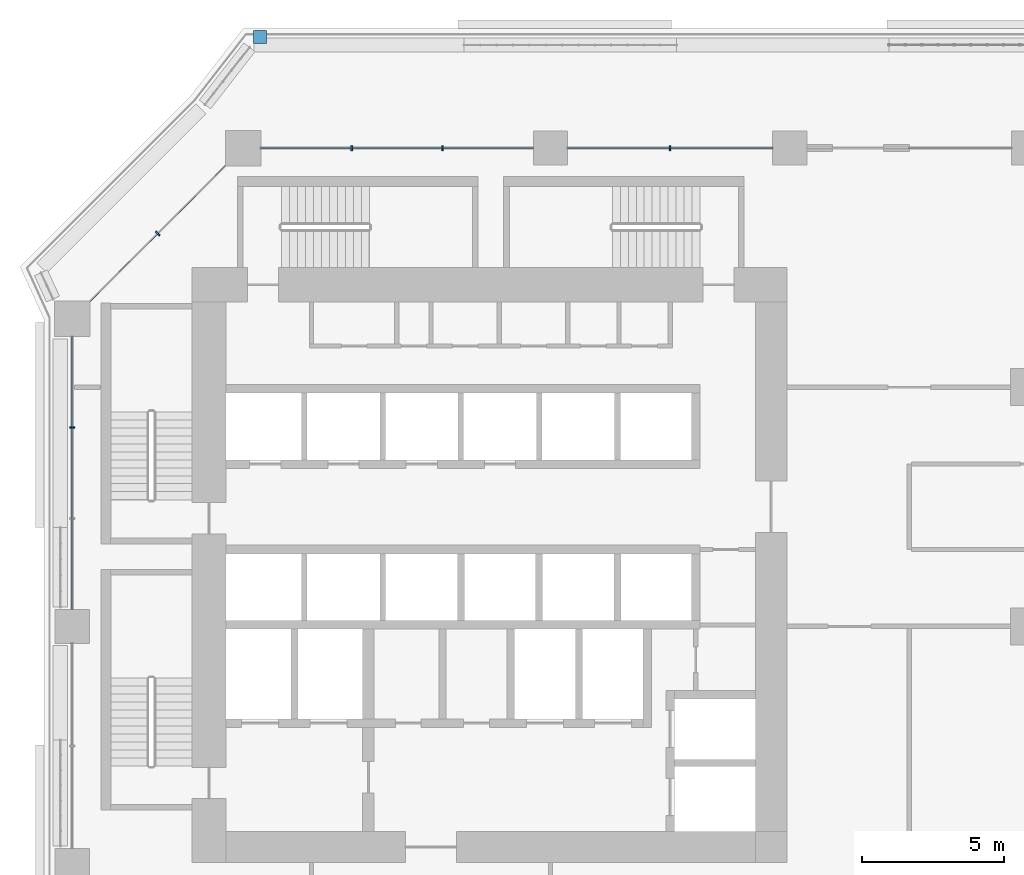
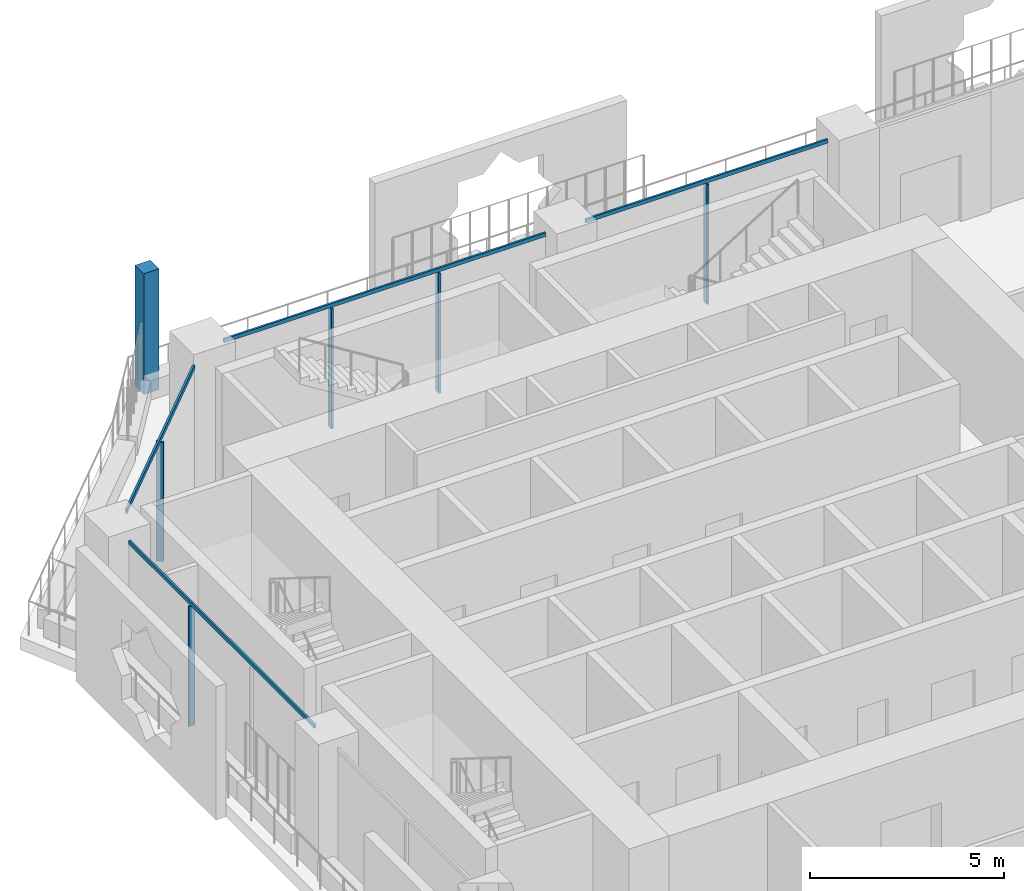
# One storey, part 8 of 28: 10 members, 4 elements without a shape of their own.
"""IFC4 building model written with IfcOpenShell, lengths in metres."""

from ifc_helpers import new_model, si_unit, direction, frame, origin, origin_2d, place, context, subcontext, project, spatial, rectangle, extrude, material, layer, layer_set, material_profile, profile_set, type_object, element, aggregate, save


model = new_model("IFC4")

# Units and contexts
model_context = context("Model", 3, precision=1e-05, world=origin(), true_north=direction((0.0, 1.0)))
body_context = subcontext(model_context, "Body", "Model", "MODEL_VIEW")
ifc_project = project(units=[si_unit("LENGTHUNIT", "METRE"), si_unit("AREAUNIT", "SQUARE_METRE"), si_unit("VOLUMEUNIT", "CUBIC_METRE"), si_unit("PLANEANGLEUNIT", "RADIAN"), si_unit("MASSUNIT", "GRAM", prefix="KILO")], contexts=[model_context])

# Site, building, storey
site_placement = place(None, origin())
site = spatial("IfcSite", under=ifc_project, at=site_placement, CompositionType="ELEMENT")
building_placement = place(site_placement, origin())
building = spatial("IfcBuilding", under=site, at=building_placement, Name="Kawkab Arch Medical Tower", CompositionType="ELEMENT")
storey_placement = place(building_placement, frame((0.0, 0.0, 68.60009765625)))
storey = spatial("IfcBuildingStorey", under=building, at=storey_placement, Name="L15", CompositionType="ELEMENT", Elevation=68.60009765625)

# Curtain wall, member
ifc_material_1 = material(Name="Bronze anodised aluminium curtain wall frame", Category="aluminium")
ifc_layer_1 = layer(ifc_material_1, 0.159912109375)
ifc_layer_set_1 = layer_set([ifc_layer_1], Name="Bronze anodised aluminium curtain wall frame")
curtain_wall_type_1 = type_object("IfcCurtainWallType", Name="CW1 ward curtain wall", PredefinedType="NOTDEFINED", material=ifc_layer_set_1)
placement = place(storey_placement, origin())
curtain_wall_1 = element("IfcCurtainWall", 1, at=placement, inside=storey, type_object=curtain_wall_type_1, Name="CW1 Ward curtain wall R01", PredefinedType="NOTDEFINED")
ifc_material_2 = material(Name="Bronze anodised aluminium curtain wall frame", Category="aluminium")
ifc_material_profile_1 = material_profile(ifc_material_2, rectangle(XDim=0.179931640625, YDim=0.06005859375, at=origin_2d()), Name="AL 60x180")
ifc_profile_set_1 = profile_set([ifc_material_profile_1], Name="Bronze anodised aluminium curtain wall frame")
member_type_1 = type_object("IfcMemberType", Name="CW1 mullion 60 x 180", PredefinedType="MULLION", material=ifc_profile_set_1)
member_1_placement = place(storey_placement, frame((0.0, -9.816650390625, 0.0), z_axis=(0.0, 0.0, 1.0), x_axis=(1.0, 0.0, 0.0)))
member_1 = element("IfcMember", 2, at=member_1_placement, type_object=member_type_1, Name="CW1 mullion 1.1", PredefinedType="MULLION", context=body_context, shape_type="SweptSolid", body=[
    extrude(rectangle(XDim=0.179931640625, YDim=0.06005859375, at=origin_2d()), origin(), (0.0, 0.0, 1.0), 3.77978515625),
])

# Curtain wall, members
curtain_wall_2 = element("IfcCurtainWall", 3, at=placement, inside=storey, type_object=curtain_wall_type_1, Name="CW1 Ward curtain wall R11", PredefinedType="NOTDEFINED")
member_2_placement = place(storey_placement, frame((21.0, 0.0, 0.0), z_axis=(0.0, 0.0, 1.0), x_axis=(0.0, -1.0, 0.0)))
member_2 = element("IfcMember", 4, at=member_2_placement, type_object=member_type_1, Name="CW1 mullion 7.1", PredefinedType="MULLION", context=body_context, shape_type="SweptSolid", body=[
    extrude(rectangle(XDim=0.179931640625, YDim=0.06005859375, at=origin_2d()), origin(), (0.0, 0.0, 1.0), 3.77978515625),
])
member_3_placement = place(storey_placement, frame((13.00830078125, 0.0, 0.0), z_axis=(0.0, 0.0, 1.0), x_axis=(0.0, -1.0, 0.0)))
member_3 = element("IfcMember", 5, at=member_3_placement, type_object=member_type_1, Name="CW1 mullion 8.1", PredefinedType="MULLION", context=body_context, shape_type="SweptSolid", body=[
    extrude(rectangle(XDim=0.179931640625, YDim=0.06005859375, at=origin_2d()), origin(), (0.0, 0.0, 1.0), 3.77978515625),
])
member_4_placement = place(storey_placement, frame((9.816650390625, 0.0, 0.0), z_axis=(0.0, 0.0, 1.0), x_axis=(0.0, -1.0, 0.0)))
member_4 = element("IfcMember", 6, at=member_4_placement, type_object=member_type_1, Name="CW1 mullion 8.2", PredefinedType="MULLION", context=body_context, shape_type="SweptSolid", body=[
    extrude(rectangle(XDim=0.179931640625, YDim=0.06005859375, at=origin_2d()), origin(), (0.0, 0.0, 1.0), 3.77978515625),
])

# Member
ifc_material_3 = material(Name="Bronze anodised aluminium curtain wall frame", Category="aluminium")
ifc_material_profile_2 = material_profile(ifc_material_3, rectangle(XDim=0.06005859375, YDim=0.1201171875, at=origin_2d()), Name="AL 60x120")
ifc_profile_set_2 = profile_set([ifc_material_profile_2], Name="Bronze anodised aluminium curtain wall frame")
member_type_2 = type_object("IfcMemberType", Name="CW1 transom 120 x 60", PredefinedType="USERDEFINED", material=ifc_profile_set_2)
member_5_placement = place(storey_placement, frame((0.0, -6.625, 3.83984375), z_axis=(0.0, -1.0, 0.0), x_axis=(1.0, 0.0, 0.0)))
member_5 = element("IfcMember", 7, at=member_5_placement, type_object=member_type_2, Name="CW1 transom 1", ObjectType="TRANSOM", PredefinedType="USERDEFINED", context=body_context, shape_type="SweptSolid", body=[
    extrude(rectangle(XDim=0.06005859375, YDim=0.1201171875, at=origin_2d()), origin(), (0.0, 0.0, 1.0), 9.574951171875),
])

aggregate(curtain_wall_1, [member_5, member_1])

member_6_placement = place(storey_placement, frame((24.60009765625, 0.0, 3.83984375), z_axis=(-1.0, 0.0, 0.0), x_axis=(0.0, -1.0, 0.0)))
member_6 = element("IfcMember", 8, at=member_6_placement, type_object=member_type_2, Name="CW1 transom 7", ObjectType="TRANSOM", PredefinedType="USERDEFINED", context=body_context, shape_type="SweptSolid", body=[
    extrude(rectangle(XDim=0.06005859375, YDim=0.1201171875, at=origin_2d()), origin(), (0.0, 0.0, 1.0), 7.2001953125),
])

member_7_placement = place(storey_placement, frame((16.199951171875, 0.0, 3.83984375), z_axis=(-1.0, 0.0, 0.0), x_axis=(0.0, -1.0, 0.0)))
member_7 = element("IfcMember", 9, at=member_7_placement, type_object=member_type_2, Name="CW1 transom 8", ObjectType="TRANSOM", PredefinedType="USERDEFINED", context=body_context, shape_type="SweptSolid", body=[
    extrude(rectangle(XDim=0.06005859375, YDim=0.1201171875, at=origin_2d()), origin(), (0.0, 0.0, 1.0), 9.574951171875),
])

aggregate(curtain_wall_2, [member_6, member_2, member_7, member_3, member_4])

# Curtain wall, members
ifc_material_4 = material(Name="Bronze anodised aluminium curtain wall frame", Category="aluminium")
ifc_layer_2 = layer(ifc_material_4, 0.159912109375)
ifc_layer_set_2 = layer_set([ifc_layer_2], Name="Bronze anodised aluminium curtain wall frame")
curtain_wall_type_2 = type_object("IfcCurtainWallType", Name="CW2 chamfer curtain wall", PredefinedType="NOTDEFINED", material=ifc_layer_set_2)
curtain_wall_3 = element("IfcCurtainWall", 10, at=placement, inside=storey, type_object=curtain_wall_type_2, Name="CW2 Chamfer curtain wall R12", PredefinedType="NOTDEFINED")
ifc_material_5 = material(Name="Bronze anodised aluminium curtain wall frame", Category="aluminium")
ifc_material_profile_3 = material_profile(ifc_material_5, rectangle(XDim=0.199951171875, YDim=0.06005859375, at=origin_2d()), Name="AL 60x200")
ifc_profile_set_3 = profile_set([ifc_material_profile_3], Name="Bronze anodised aluminium curtain wall frame")
member_type_3 = type_object("IfcMemberType", Name="CW2 mullion 60 x 200", PredefinedType="MULLION", material=ifc_profile_set_3)
member_8_placement = place(storey_placement, frame((3.0, -3.0, 0.0), z_axis=(0.0, 0.0, 1.0), x_axis=(0.707106781187, -0.707106781187, 0.0)))
member_8 = element("IfcMember", 11, at=member_8_placement, type_object=member_type_3, Name="CW2 mullion 1.1", PredefinedType="MULLION", context=body_context, shape_type="SweptSolid", body=[
    extrude(rectangle(XDim=0.199951171875, YDim=0.06005859375, at=origin_2d()), origin(), (0.0, 0.0, 1.0), 3.760009765625),
])
ifc_material_6 = material(Name="Bronze anodised aluminium curtain wall frame", Category="aluminium")
ifc_material_profile_4 = material_profile(ifc_material_6, rectangle(XDim=0.06005859375, YDim=0.139892578125, at=origin_2d()), Name="AL 60x140")
ifc_profile_set_4 = profile_set([ifc_material_profile_4], Name="Bronze anodised aluminium curtain wall frame")
member_type_4 = type_object("IfcMemberType", Name="CW2 transom 140 x 60", PredefinedType="USERDEFINED", material=ifc_profile_set_4)
member_9_placement = place(storey_placement, frame((5.375, -0.625, 3.829833984375), z_axis=(-0.707106781187, -0.707106781187, 0.0), x_axis=(0.707106781187, -0.707106781187, 0.0)))
member_9 = element("IfcMember", 12, at=member_9_placement, type_object=member_type_4, Name="CW2 transom 1", ObjectType="TRANSOM", PredefinedType="USERDEFINED", context=body_context, shape_type="SweptSolid", body=[
    extrude(rectangle(XDim=0.06005859375, YDim=0.139892578125, at=origin_2d()), origin(), (0.0, 0.0, 1.0), 6.717529296875),
])
aggregate(curtain_wall_3, [member_9, member_8])

# Curtain wall, member
ifc_material_7 = material(Name="Bronze anodised aluminium climber frame, planted", Category="aluminium")
ifc_layer_3 = layer(ifc_material_7, 0.449951171875)
ifc_layer_set_3 = layer_set([ifc_layer_3], Name="Bronze anodised aluminium climber frame, planted")
curtain_wall_type_3 = type_object("IfcCurtainWallType", Name="Planted climber frame", PredefinedType="NOTDEFINED", material=ifc_layer_set_3)
curtain_wall_4 = element("IfcCurtainWall", 13, at=placement, inside=storey, type_object=curtain_wall_type_3, Name="Planted climber frame L15", PredefinedType="NOTDEFINED")
ifc_material_8 = material(Name="Bronze anodised aluminium climber frame, planted", Category="aluminium")
ifc_material_profile_5 = material_profile(ifc_material_8, rectangle(XDim=0.449951171875, YDim=0.449951171875, at=origin_2d()), Name="Post 450x450")
ifc_profile_set_5 = profile_set([ifc_material_profile_5], Name="Bronze anodised aluminium climber frame, planted")
member_type_5 = type_object("IfcMemberType", Name="Planted climber post 450 x 450", PredefinedType="MULLION", material=ifc_profile_set_5)
member_10_placement = place(storey_placement, frame((6.596923828125, 3.89990234375, 0.0), z_axis=(0.0, 0.0, 1.0), x_axis=(1.0, 0.0, 0.0)))
member_10 = element("IfcMember", 14, at=member_10_placement, type_object=member_type_5, Name="Planted climber post L15.LOG-01-01.3", PredefinedType="MULLION", context=body_context, shape_type="SweptSolid", body=[
    extrude(rectangle(XDim=0.449951171875, YDim=0.449951171875, at=origin_2d()), origin(), (0.0, 0.0, 1.0), 3.7998046875),
])
aggregate(curtain_wall_4, [member_10])

save(model, "model.ifc")
